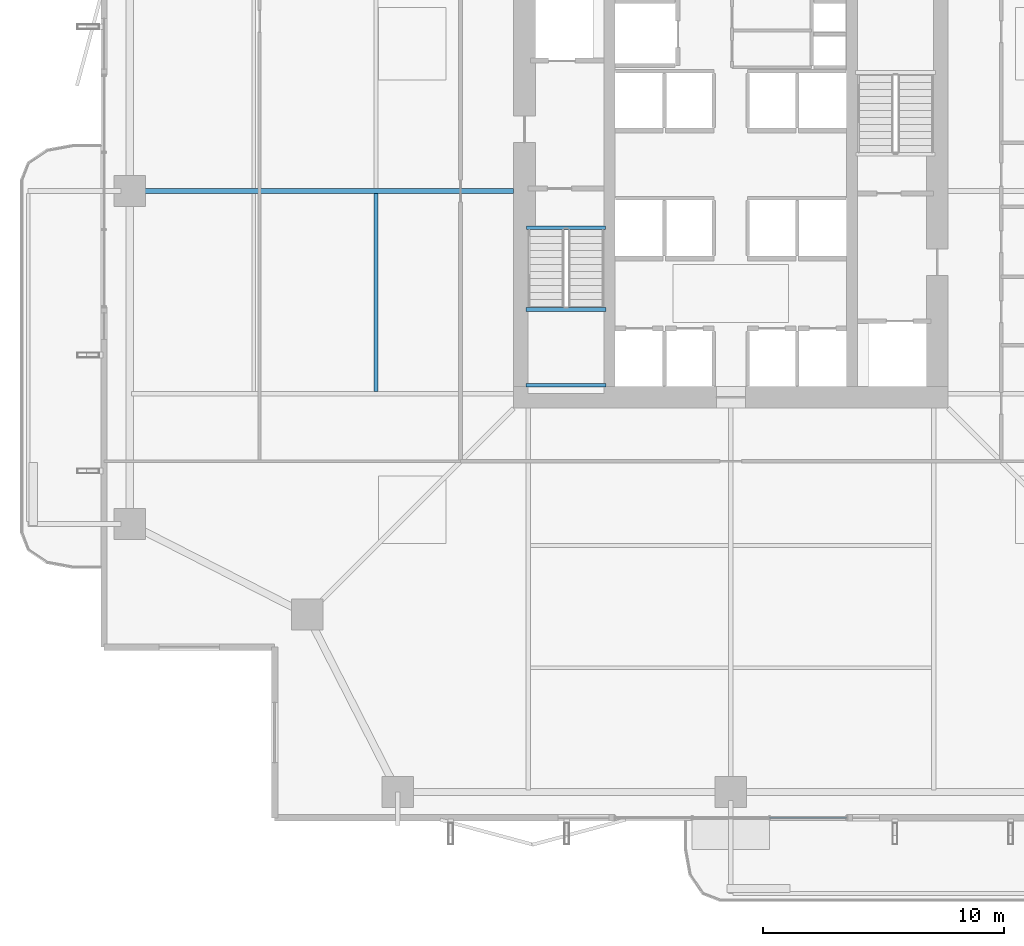
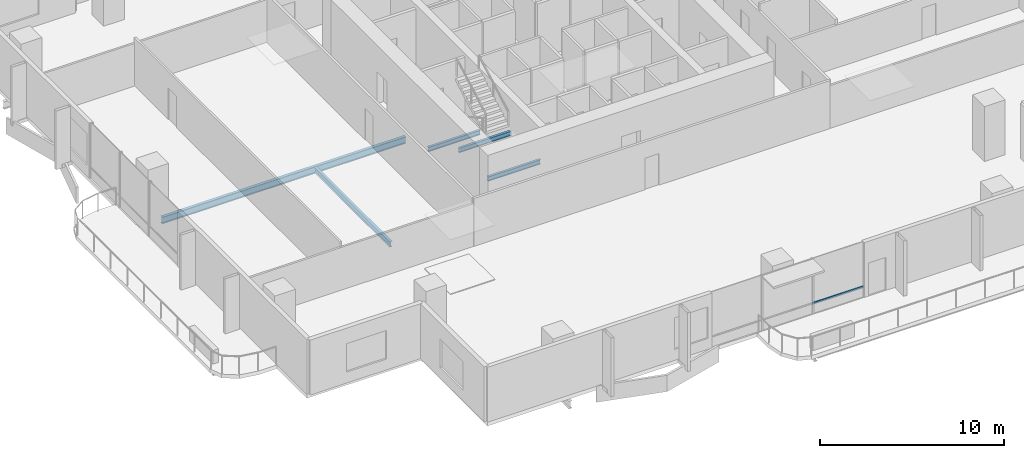
# One storey, part 5 of 24: 5 beams, 1 member, 1 element without a shape of its own.
"""IFC4 building model written with IfcOpenShell, lengths in metres."""

from ifc_helpers import new_model, si_unit, direction, frame, origin, origin_2d, place, context, subcontext, project, spatial, hollow_rectangle, i_section, extrude, material, layer, layer_set, material_profile, profile_set, type_object, element, aggregate, save


model = new_model("IFC4")

# Units and contexts
model_context = context("Model", 3, precision=1e-05, world=origin(), true_north=direction((0.0, 1.0)))
body_context = subcontext(model_context, "Body", "Model", "MODEL_VIEW")
ifc_project = project(units=[si_unit("LENGTHUNIT", "METRE"), si_unit("AREAUNIT", "SQUARE_METRE"), si_unit("VOLUMEUNIT", "CUBIC_METRE"), si_unit("PLANEANGLEUNIT", "RADIAN"), si_unit("MASSUNIT", "GRAM", prefix="KILO")], contexts=[model_context])

# Site, building, storey
site_placement = place(None, origin())
site = spatial("IfcSite", under=ifc_project, at=site_placement, CompositionType="ELEMENT")
building_placement = place(site_placement, origin())
building = spatial("IfcBuilding", under=site, at=building_placement, Name="Belovzor Exchange Tower", CompositionType="ELEMENT")
storey_placement = place(building_placement, frame((0.0, 0.0, 129.0)))
storey = spatial("IfcBuildingStorey", under=building, at=storey_placement, Name="L31", CompositionType="ELEMENT", Elevation=129.0)

# Beams
ifc_material_1 = material(Name="Steel S355", Category="steel")
ifc_material_profile_1 = material_profile(ifc_material_1, i_section(OverallWidth=0.169921875, OverallDepth=0.360107421875, WebThickness=0.008056640625, FlangeThickness=0.0126953125, at=origin_2d()))
ifc_profile_set_1 = profile_set([ifc_material_profile_1], Name="Steel S355")
beam_type_1 = type_object("IfcBeamType", Name="Secondary Infill Floor Joist IPE 360", PredefinedType="BEAM", material=ifc_profile_set_1)
beam_1_placement = place(storey_placement, frame((14.10302734375, 20.4951171875, -0.429931640625), z_axis=(0.0, 1.0, 0.0), x_axis=(-1.0, 0.0, 0.0)))
element("IfcBeam", 1, at=beam_1_placement, inside=storey, type_object=beam_type_1, Name="FJ-360 Secondary Infill Floor Joist IPE 360", PredefinedType="BEAM", context=body_context, shape_type="SweptSolid", body=[
    extrude(i_section(OverallWidth=0.169921875, OverallDepth=0.360107421875, WebThickness=0.008056640625, FlangeThickness=0.0126953125, at=origin_2d()), origin(), (0.0, 0.0, 1.0), 8.2099609375),
])
ifc_material_2 = material(Name="Steel S355", Category="steel")
ifc_material_profile_2 = material_profile(ifc_material_2, i_section(OverallWidth=0.14990234375, OverallDepth=0.300048828125, WebThickness=0.007080078125, FlangeThickness=0.0107421875, at=origin_2d()))
ifc_profile_set_2 = profile_set([ifc_material_profile_2], Name="Steel S355")
beam_type_2 = type_object("IfcBeamType", Name="Secondary Trim Floor Joist IPE 300", PredefinedType="BEAM", material=ifc_profile_set_2)
for number, where, z_axis, x_axis, name in (
    (2, (20.320068359375, 23.889892578125, 1.60009765625), (1.0, 0.0, 0.0), (0.0, 1.0, 0.0), "FJ-300 Secondary Trim Floor Joist IPE 300"),
    (3, (20.320068359375, 20.75, 1.60009765625), (1.0, 0.0, 0.0), (0.0, 1.0, 0.0), "FJ-300 Secondary Trim Floor Joist IPE 300"),
):
    element("IfcBeam", number, at=place(storey_placement, frame(where, z_axis=z_axis, x_axis=x_axis)), inside=storey, type_object=beam_type_2, Name=name, PredefinedType="BEAM", context=body_context, shape_type="SweptSolid", body=[
        extrude(i_section(OverallWidth=0.14990234375, OverallDepth=0.300048828125, WebThickness=0.007080078125, FlangeThickness=0.0107421875, at=origin_2d()), origin(), (0.0, 0.0, 1.0), 3.309814453125),
    ])
beam_2_placement = place(storey_placement, frame((20.340087890625, 27.280029296875, -0.39990234375), z_axis=(1.0, 0.0, 0.0), x_axis=(0.0, 1.0, 0.0)))
element("IfcBeam", 4, at=beam_2_placement, inside=storey, type_object=beam_type_2, Name="FJ-300 Secondary Trim Floor Joist IPE 300", PredefinedType="BEAM", context=body_context, shape_type="SweptSolid", body=[
    extrude(i_section(OverallWidth=0.14990234375, OverallDepth=0.300048828125, WebThickness=0.007080078125, FlangeThickness=0.0107421875, at=origin_2d()), origin(), (0.0, 0.0, 1.0), 3.27001953125),
])

# Curtain wall, member
ifc_material_3 = material(Name="Anodised Aluminium Framing", Category="aluminium")
ifc_layer = layer(ifc_material_3, 0.179931640625)
ifc_layer_set = layer_set([ifc_layer], Name="Anodised Aluminium Framing")
curtain_wall_type = type_object("IfcCurtainWallType", Name="Recessed Loggia Low-Iron Triple-Glazed Curtain Wall", PredefinedType="NOTDEFINED", material=ifc_layer_set)
curtain_wall_placement = place(storey_placement, origin())
curtain_wall = element("IfcCurtainWall", 5, at=curtain_wall_placement, inside=storey, type_object=curtain_wall_type, Name="CW3 Recessed Loggia Low-Iron Triple-Glazed Curtain Wall L31", PredefinedType="NOTDEFINED")
ifc_material_4 = material(Name="Steel S355", Category="steel")
ifc_material_profile_3 = material_profile(ifc_material_4, hollow_rectangle(XDim=0.06005859375, YDim=0.14990234375, WallThickness=0.00390625, at=origin_2d()))
ifc_profile_set_3 = profile_set([ifc_material_profile_3], Name="Steel S355")
member_type = type_object("IfcMemberType", Name="Thermally Broken Curtain Wall Transom 150x60", PredefinedType="USERDEFINED", material=ifc_profile_set_3)
member_placement = place(storey_placement, frame((33.592041015625, 2.830078125, 0.64990234375), z_axis=(-1.0, 0.0, 0.0), x_axis=(0.0, -1.0, 0.0)))
member = element("IfcMember", 6, at=member_placement, type_object=member_type, Name="CW-T150 Curtain Wall Transom 1", ObjectType="TRANSOM", PredefinedType="USERDEFINED", context=body_context, shape_type="SweptSolid", body=[
    extrude(hollow_rectangle(XDim=0.06005859375, YDim=0.14990234375, WallThickness=0.00390625, at=origin_2d()), origin(), (0.0, 0.0, 1.0), 3.18408203125),
])
aggregate(curtain_wall, [member])

# Beam
ifc_material_5 = material(Name="Steel S355", Category="steel")
ifc_material_profile_4 = material_profile(ifc_material_5, i_section(OverallWidth=0.18994140625, OverallDepth=0.449951171875, WebThickness=0.009521484375, FlangeThickness=0.0146484375, at=origin_2d()))
ifc_profile_set_4 = profile_set([ifc_material_profile_4], Name="Steel S355")
beam_type_3 = type_object("IfcBeamType", Name="Zone 2-4 Radial Composite Floor Beam IPE 450", PredefinedType="BEAM", material=ifc_profile_set_4)
beam_3_placement = place(storey_placement, frame((19.800048828125, 28.800048828125, -0.47509765625), z_axis=(-1.0, 0.0, 0.0), x_axis=(0.0, -1.0, 0.0)))
element("IfcBeam", 7, at=beam_3_placement, inside=storey, type_object=beam_type_3, Name="FB-450 Zone 2-4 Radial Composite Floor Beam IPE 450", PredefinedType="BEAM", context=body_context, shape_type="SweptSolid", body=[
    extrude(i_section(OverallWidth=0.18994140625, OverallDepth=0.449951171875, WebThickness=0.009521484375, FlangeThickness=0.0146484375, at=origin_2d()), origin(), (0.0, 0.0, 1.0), 15.328125),
])

save(model, "model.ifc")
